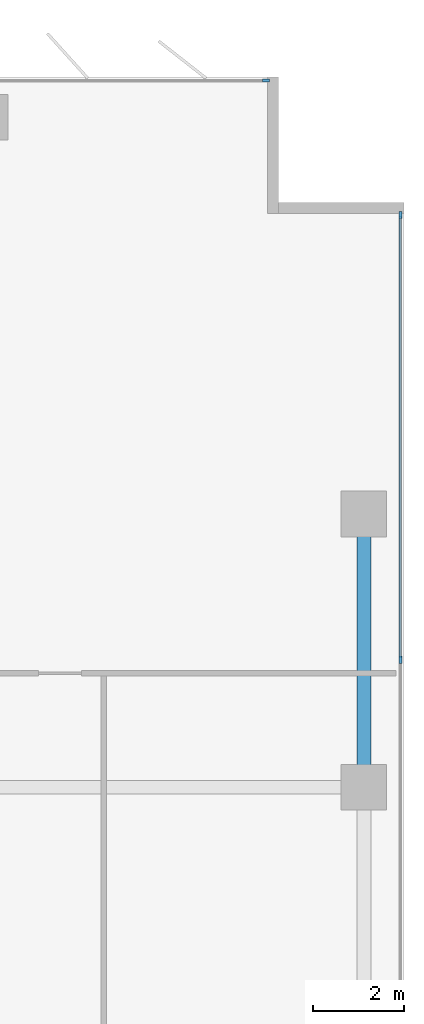
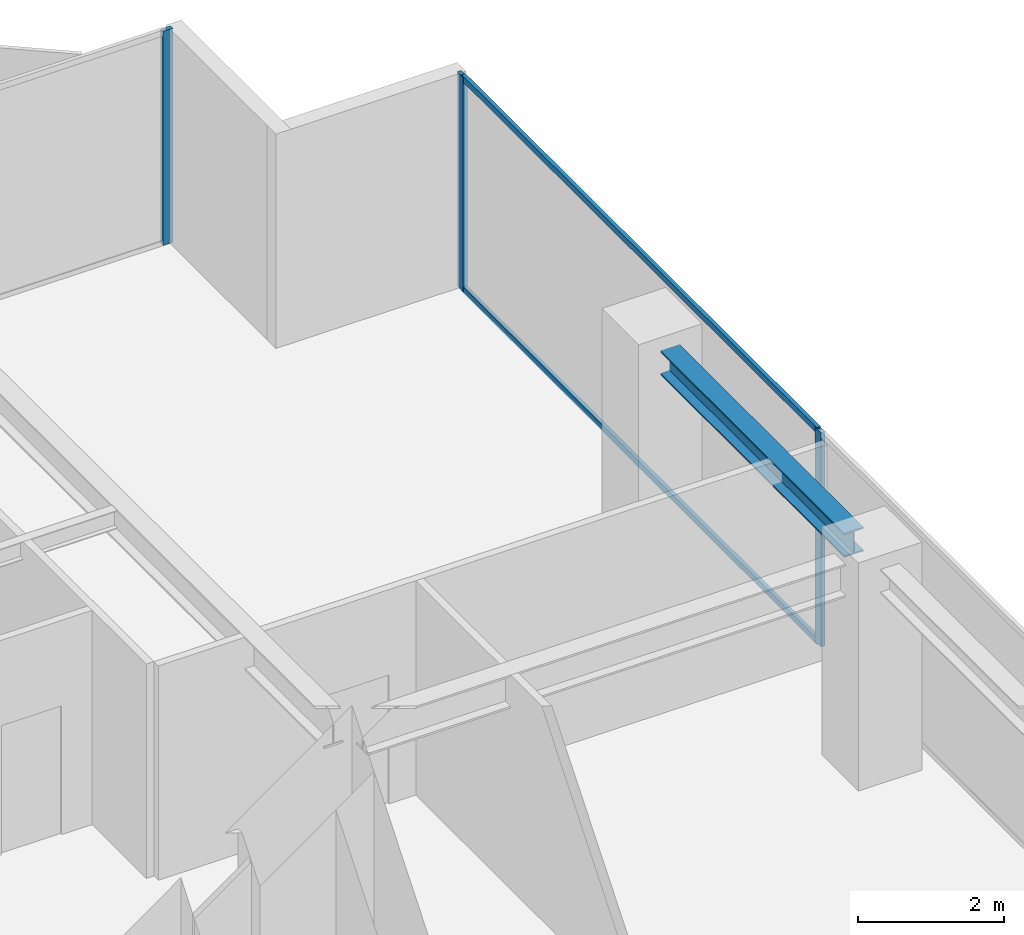
# One storey, part 13 of 22: 5 members, 1 beam, 2 elements without a shape of their own.
"""IFC4 building model written with IfcOpenShell, lengths in metres."""

from ifc_helpers import new_model, si_unit, direction, frame, origin, origin_2d, place, context, subcontext, project, spatial, rectangle, i_section, extrude, material, layer, layer_set, material_profile, profile_set, type_object, element, aggregate, save


model = new_model("IFC4")

# Units and contexts
model_context = context("Model", 3, precision=1e-05, world=origin(), true_north=direction((0.0, 1.0)))
body_context = subcontext(model_context, "Body", "Model", "MODEL_VIEW")
ifc_project = project(units=[si_unit("LENGTHUNIT", "METRE"), si_unit("AREAUNIT", "SQUARE_METRE"), si_unit("VOLUMEUNIT", "CUBIC_METRE"), si_unit("PLANEANGLEUNIT", "RADIAN"), si_unit("MASSUNIT", "GRAM", prefix="KILO")], contexts=[model_context])

# Site, building, storey
site_placement = place(None, origin())
site = spatial("IfcSite", under=ifc_project, at=site_placement, CompositionType="ELEMENT")
building_placement = place(site_placement, origin())
building = spatial("IfcBuilding", under=site, at=building_placement, Name="Putna Gate Headquarters", CompositionType="ELEMENT")
storey_placement = place(building_placement, frame((0.0, 0.0, 159.39990234375)))
storey = spatial("IfcBuildingStorey", under=building, at=storey_placement, Name="L39", CompositionType="ELEMENT", Elevation=159.39990234375)

# Beam
ifc_material_1 = material(Name="Steel S355J2", Category="steel")
ifc_material_profile_1 = material_profile(ifc_material_1, i_section(OverallWidth=0.300048828125, OverallDepth=0.39990234375, WebThickness=0.013427734375, FlangeThickness=0.02392578125, at=origin_2d()), Name="Steel S355J2")
ifc_profile_set_1 = profile_set([ifc_material_profile_1], Name="Steel S355J2")
beam_type = type_object("IfcBeamType", Name="BM-SPAN-Z3-HEB400", PredefinedType="SPANDREL", material=ifc_profile_set_1)
beam_placement = place(storey_placement, frame((73.320068359375, 33.488037109375, 3.3720703125), z_axis=(0.0, 1.0, 0.0), x_axis=(-1.0, 0.0, 0.0)))
element("IfcBeam", 1, at=beam_placement, inside=storey, type_object=beam_type, Name="L39 E End Spandrel 3", PredefinedType="SPANDREL", context=body_context, shape_type="SweptSolid", body=[
    extrude(i_section(OverallWidth=0.300048828125, OverallDepth=0.39990234375, WebThickness=0.013427734375, FlangeThickness=0.02392578125, at=origin_2d()), origin(), (0.0, 0.0, 1.0), 5.02392578125),
])

# Curtain wall, member
ifc_material_2 = material(Name="Anodised bronze aluminium curtain wall", Category="aluminium")
ifc_layer = layer(ifc_material_2, 0.159912109375)
ifc_layer_set = layer_set([ifc_layer], Name="Anodised bronze aluminium curtain wall")
curtain_wall_type = type_object("IfcCurtainWallType", Name="CW-SYS-Z3", PredefinedType="USERDEFINED", material=ifc_layer_set)
curtain_wall_1_placement = place(storey_placement, origin())
curtain_wall_1 = element("IfcCurtainWall", 2, at=curtain_wall_1_placement, inside=storey, type_object=curtain_wall_type, Name="L39 North East Curtain Wall", ObjectType="STICK CURTAIN WALL", PredefinedType="USERDEFINED")
ifc_material_3 = material(Name="Anodised bronze aluminium EN AW-6060", Category="aluminium")
ifc_material_profile_2 = material_profile(ifc_material_3, rectangle(XDim=0.06494140625, YDim=0.159912109375, at=origin_2d()), Name="Anodised bronze aluminium EN AW-6060")
ifc_profile_set_2 = profile_set([ifc_material_profile_2], Name="Anodised bronze aluminium EN AW-6060")
member_type_1 = type_object("IfcMemberType", Name="MULL-CWM-3", PredefinedType="MULLION", material=ifc_profile_set_2)
member_1_placement = place(storey_placement, frame((71.16748046875, 48.52001953125, 0.0), z_axis=(0.0, 0.0, 1.0), x_axis=(0.0, 1.0, 0.0)))
member_1 = element("IfcMember", 3, at=member_1_placement, type_object=member_type_1, Name="CWS-3 mullion 3", PredefinedType="MULLION", context=body_context, shape_type="SweptSolid", body=[
    extrude(rectangle(XDim=0.06494140625, YDim=0.159912109375, at=origin_2d()), origin(), (0.0, 0.0, 1.0), 3.572021484375),
])
aggregate(curtain_wall_1, [member_1])

# Curtain wall, members
curtain_wall_2_placement = place(storey_placement, origin())
curtain_wall_2 = element("IfcCurtainWall", 4, at=curtain_wall_2_placement, inside=storey, type_object=curtain_wall_type, Name="L39 East Curtain Wall", ObjectType="STICK CURTAIN WALL", PredefinedType="USERDEFINED")
member_2_placement = place(storey_placement, frame((74.1201171875, 35.800048828125, 0.0), z_axis=(0.0, 0.0, 1.0), x_axis=(-1.0, 0.0, 0.0)))
member_2 = element("IfcMember", 5, at=member_2_placement, type_object=member_type_1, Name="CWS-3 mullion 4", PredefinedType="MULLION", context=body_context, shape_type="SweptSolid", body=[
    extrude(rectangle(XDim=0.06494140625, YDim=0.159912109375, at=origin_2d()), origin(), (0.0, 0.0, 1.0), 3.572021484375),
])
member_3_placement = place(storey_placement, frame((74.1201171875, 45.5673828125, 0.0), z_axis=(0.0, 0.0, 1.0), x_axis=(-1.0, 0.0, 0.0)))
member_3 = element("IfcMember", 6, at=member_3_placement, type_object=member_type_1, Name="CWS-3 mullion 5", PredefinedType="MULLION", context=body_context, shape_type="SweptSolid", body=[
    extrude(rectangle(XDim=0.06494140625, YDim=0.159912109375, at=origin_2d()), origin(), (0.0, 0.0, 1.0), 3.572021484375),
])
ifc_material_profile_3 = material_profile(ifc_material_3, rectangle(XDim=0.06005859375, YDim=0.10009765625, at=origin_2d()), Name="Anodised bronze aluminium EN AW-6060")
ifc_profile_set_3 = profile_set([ifc_material_profile_3], Name="Anodised bronze aluminium EN AW-6060")
member_type_2 = type_object("IfcMemberType", Name="TRAN-CWT-3", PredefinedType="USERDEFINED", material=ifc_profile_set_3)
member_4_placement = place(storey_placement, frame((74.1201171875, 35.83251953125, 0.030029296875), z_axis=(0.0, 1.0, 0.0), x_axis=(-1.0, 0.0, 0.0)))
member_4 = element("IfcMember", 7, at=member_4_placement, type_object=member_type_2, Name="CWS-3 transom 4.1", ObjectType="TRANSOM", PredefinedType="USERDEFINED", context=body_context, shape_type="SweptSolid", body=[
    extrude(rectangle(XDim=0.06005859375, YDim=0.10009765625, at=origin_2d()), origin(), (0.0, 0.0, 1.0), 9.702392578125),
])
member_5_placement = place(storey_placement, frame((74.1201171875, 35.83251953125, 3.5419921875), z_axis=(0.0, 1.0, 0.0), x_axis=(-1.0, 0.0, 0.0)))
member_5 = element("IfcMember", 8, at=member_5_placement, type_object=member_type_2, Name="CWS-3 transom 4.2", ObjectType="TRANSOM", PredefinedType="USERDEFINED", context=body_context, shape_type="SweptSolid", body=[
    extrude(rectangle(XDim=0.06005859375, YDim=0.10009765625, at=origin_2d()), origin(), (0.0, 0.0, 1.0), 9.702392578125),
])
aggregate(curtain_wall_2, [member_2, member_3, member_4, member_5])

save(model, "model.ifc")
